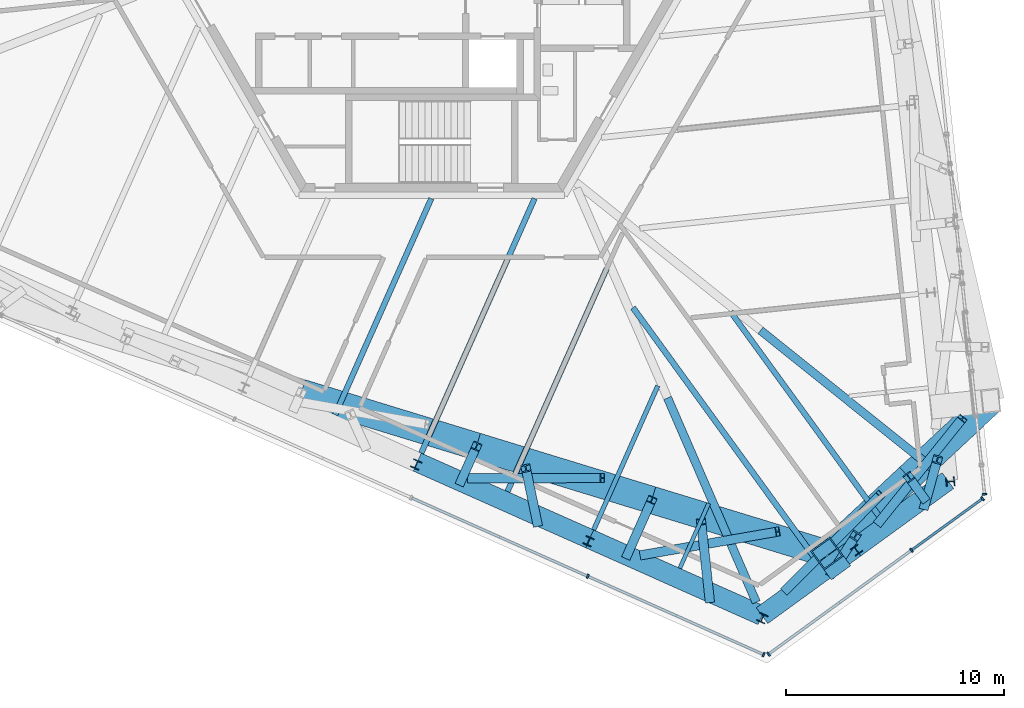
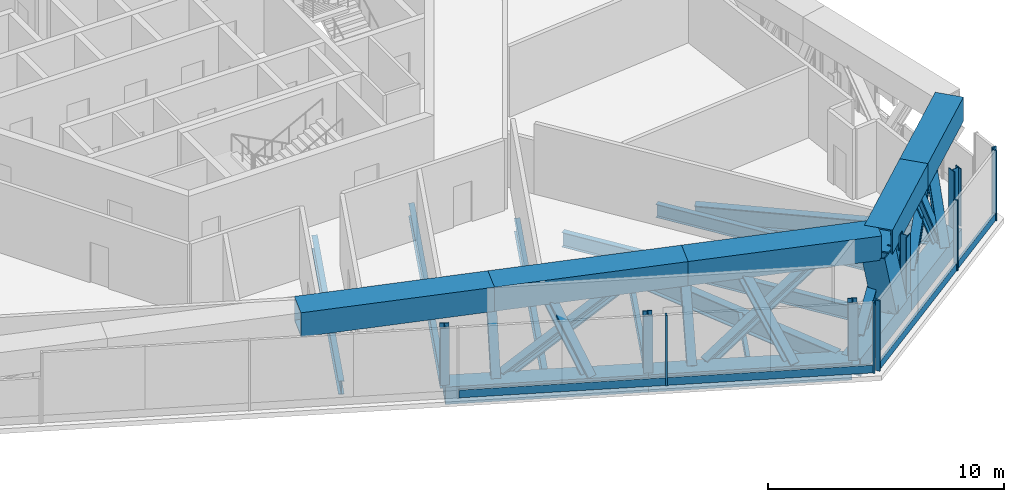
# One storey, part 3 of 30: 36 members, 9 beams, 3 elements without a shape of their own.
"""IFC4 building model written with IfcOpenShell, lengths in metres."""

import ifcopenshell
import ifcopenshell.guid

model = None  # the IFC model being written
_history = None  # IfcOwnerHistory: only IFC2X3 demands one
_inside = {}  # id of a spatial element -> (the spatial element, [elements in it])
_under = {}  # id of a project, library or spatial element -> (it, [spatial elements below it])
_declared = {}  # id of a project -> (the project, [libraries it declares])
_typed = {}  # id of a type object -> (the type object, [elements of that type])
_made_of = {}  # id of a material, layer set ... -> (it, [elements and type objects made of it])


def new_model(schema):
    """Start an empty IFC model of exactly this schema.

    Asked for "IFC4X3", IfcOpenShell would pick the latest addendum, in which some entities
    have other attributes; the version numbers below select the first issue.
    IFC2X3 requires an IfcOwnerHistory on every rooted entity: one is made here for all.
    """
    global model, _history
    if schema == "IFC4X3":
        model = ifcopenshell.file(schema_version=(4, 3, 0, 0))
    else:
        model = ifcopenshell.file(schema=schema)
    _inside.clear()
    _under.clear()
    _declared.clear()
    _typed.clear()
    _made_of.clear()
    _history = None
    if model.schema == "IFC2X3":
        org = make("IfcOrganization", Name="unknown")
        user = make(
            "IfcPersonAndOrganization",
            ThePerson=make("IfcPerson", FamilyName="unknown"),
            TheOrganization=org,
        )
        app = make(
            "IfcApplication",
            ApplicationDeveloper=org,
            Version="unknown",
            ApplicationFullName="unknown",
            ApplicationIdentifier="unknown",
        )
        _history = make(
            "IfcOwnerHistory",
            OwningUser=user,
            OwningApplication=app,
            ChangeAction="ADDED",
            CreationDate=0,
        )
    return model


def make(cls, **values):
    """One entity of the class cls with the attributes given. An attribute that is None is left unset."""
    return model.create_entity(
        cls, **{name: value for name, value in values.items() if value is not None}
    )


def rooted(cls, **values):
    """An entity with a GlobalId (a new one), such as an element, a storey or a relation."""
    return make(cls, GlobalId=ifcopenshell.guid.new(), OwnerHistory=_history, **values)


def si_unit(unit_type, name, prefix=None):
    """IfcSIUnit, for example si_unit("LENGTHUNIT", "METRE", prefix="MILLI")."""
    return make("IfcSIUnit", UnitType=unit_type, Prefix=prefix, Name=name)


def assignment(units):
    """IfcUnitAssignment: the units of a project."""
    return None if units is None else make("IfcUnitAssignment", Units=units)


def point(xyz):
    """IfcCartesianPoint."""
    return None if xyz is None else make("IfcCartesianPoint", Coordinates=xyz)


def direction(xyz):
    """IfcDirection."""
    return None if xyz is None else make("IfcDirection", DirectionRatios=xyz)


def frame(location, z_axis=None, x_axis=None):
    """IfcAxis2Placement3D, a coordinate frame: its origin and axes. An axis left out is left unset."""
    return make(
        "IfcAxis2Placement3D",
        Location=point(location),
        Axis=direction(z_axis),
        RefDirection=direction(x_axis),
    )


def frame_2d(location, x_axis=None):
    """IfcAxis2Placement2D, a coordinate frame in the plane: its origin and x axis."""
    return make(
        "IfcAxis2Placement2D", Location=point(location), RefDirection=direction(x_axis)
    )


def origin():
    """The frame at (0, 0, 0) with its axes left unset."""
    return frame((0.0, 0.0, 0.0))


def origin_2d():
    """The frame at (0, 0) in the plane with its x axis left unset."""
    return frame_2d((0.0, 0.0))


def place(relative_to, where):
    """IfcLocalPlacement: puts the frame where relative to a parent placement (None: the world)."""
    return make(
        "IfcLocalPlacement", PlacementRelTo=relative_to, RelativePlacement=where
    )


def context(
    kind, dimensions, precision=None, world=None, true_north=None, identifier=None
):
    """IfcGeometricRepresentationContext, for example the 3D "Model" context."""
    return make(
        "IfcGeometricRepresentationContext",
        ContextIdentifier=identifier,
        ContextType=kind,
        CoordinateSpaceDimension=dimensions,
        Precision=precision,
        WorldCoordinateSystem=world,
        TrueNorth=true_north,
    )


def subcontext(parent, identifier, kind, view, scale=None):
    """IfcGeometricRepresentationSubContext, for example "Body" below "Model"."""
    return make(
        "IfcGeometricRepresentationSubContext",
        ContextIdentifier=identifier,
        ContextType=kind,
        ParentContext=parent,
        TargetScale=scale,
        TargetView=view,
    )


def project(units=None, contexts=None):
    """IfcProject with its units and contexts."""
    return rooted(
        "IfcProject",
        Name="project",
        RepresentationContexts=contexts,
        UnitsInContext=assignment(units),
    )


def spatial(cls, under=None, at=None, **own):
    """A site, building, storey or space (cls), placed at a placement, below another one or the project."""
    s = rooted(cls, ObjectPlacement=at, **own)
    if under is not None:
        _under.setdefault(under.id(), (under, []))[1].append(s)
    return s


def profile(cls, at=None, kind="AREA", **sizes):
    """A parametric profile (cls). Its sizes go by their IFC names, for example OverallWidth=200.0."""
    return make(cls, ProfileType=kind, Position=at, **sizes)


def rectangle(**sizes):
    """IfcRectangleProfileDef."""
    return profile("IfcRectangleProfileDef", **sizes)


def hollow_rectangle(**sizes):
    """IfcRectangleHollowProfileDef."""
    return profile("IfcRectangleHollowProfileDef", **sizes)


def i_section(**sizes):
    """IfcIShapeProfileDef."""
    return profile("IfcIShapeProfileDef", **sizes)


def extrude(swept, where, along, depth):
    """IfcExtrudedAreaSolid: the profile swept, set in the frame where, extruded along a direction by depth."""
    return make(
        "IfcExtrudedAreaSolid",
        SweptArea=swept,
        Position=where,
        ExtrudedDirection=direction(along),
        Depth=depth,
    )


def shape(context_of_items, identifier, shape_type, items):
    """IfcShapeRepresentation: the items that make up one representation, for example the "Body"."""
    return make(
        "IfcShapeRepresentation",
        ContextOfItems=context_of_items,
        RepresentationIdentifier=identifier,
        RepresentationType=shape_type,
        Items=items,
    )


def source(mapping_origin, context_of_items, identifier, shape_type, items):
    """IfcRepresentationMap: a shape defined once, which mapped items show again and again."""
    return make(
        "IfcRepresentationMap",
        MappingOrigin=mapping_origin,
        MappedRepresentation=shape(context_of_items, identifier, shape_type, items),
    )


def transform(
    local_origin,
    x_axis=None,
    y_axis=None,
    z_axis=None,
    scale=None,
    scale2=None,
    scale3=None,
    uniform=True,
):
    """IfcCartesianTransformationOperator3D, or its non-uniform kind. x_axis, y_axis, z_axis: its Axis1, 2, 3."""
    if uniform:
        return make(
            "IfcCartesianTransformationOperator3D",
            Axis1=direction(x_axis),
            Axis2=direction(y_axis),
            LocalOrigin=point(local_origin),
            Scale=scale,
            Axis3=direction(z_axis),
        )
    return make(
        "IfcCartesianTransformationOperator3DnonUniform",
        Axis1=direction(x_axis),
        Axis2=direction(y_axis),
        LocalOrigin=point(local_origin),
        Scale=scale,
        Axis3=direction(z_axis),
        Scale2=scale2,
        Scale3=scale3,
    )


def mapped(mapping_source, mapping_target):
    """IfcMappedItem: shows the shape of a source again, moved by a transform."""
    return make(
        "IfcMappedItem", MappingSource=mapping_source, MappingTarget=mapping_target
    )


def material(Name=None, Category=None):
    """IfcMaterial."""
    return make("IfcMaterial", Name=Name, Category=Category)


def material_profile(
    of_material, cross_section, Name=None, Category=None, Priority=None
):
    """IfcMaterialProfile: a cross section and its material."""
    return make(
        "IfcMaterialProfile",
        Name=Name,
        Material=of_material,
        Profile=cross_section,
        Priority=Priority,
        Category=Category,
    )


def profile_set(profiles, Name=None, composite=None):
    """IfcMaterialProfileSet."""
    return make(
        "IfcMaterialProfileSet",
        Name=Name,
        MaterialProfiles=profiles,
        CompositeProfile=composite,
    )


def made_of(thing, what):
    """Note that an element or type object is made of a material, layer set ...; save() writes the relation."""
    if what is not None:
        _made_of.setdefault(what.id(), (what, []))[1].append(thing)
    return thing


def type_object(cls, material=None, **own):
    """A type object (cls), such as IfcWallType, which elements share."""
    return made_of(rooted(cls, **own), material)


def element(
    cls,
    number,
    at=None,
    inside=None,
    cuts=None,
    type_object=None,
    material=None,
    context=None,
    identifier="Body",
    shape_type=None,
    held_by="IfcProductDefinitionShape",
    body=None,
    shapes=None,
    **own,
):
    """One element of the class cls, such as IfcWall. Its Tag is "e" and its number.

    at: its placement. inside: the storey or other place that contains it. cuts: it is an
    opening in that element (IfcRelVoidsElement). A single representation is given by context,
    identifier, shape_type and body (its items); several are given by shapes. held_by: the class
    of the entity that holds the representations. save() writes the other relations.
    """
    e = rooted(cls, Tag="e%d" % number, ObjectPlacement=at, **own)
    if body is not None:
        shapes = [shape(context, identifier, shape_type, body)]
    if shapes is not None:
        e.Representation = make(held_by, Representations=shapes)
    if inside is not None:
        _inside.setdefault(inside.id(), (inside, []))[1].append(e)
    if cuts is not None:
        rooted(
            "IfcRelVoidsElement", RelatingBuildingElement=cuts, RelatedOpeningElement=e
        )
    if type_object is not None:
        _typed.setdefault(type_object.id(), (type_object, []))[1].append(e)
    return made_of(e, material)


def aggregate(whole, parts):
    """IfcRelAggregates: a whole, such as a stair, and the parts it consists of."""
    return rooted("IfcRelAggregates", RelatingObject=whole, RelatedObjects=parts)


def save(model, path):
    """Write the relations noted so far, then the file.

    IfcRelAggregates (storeys below a building ...), IfcRelContainedInSpatialStructure (elements
    in a storey), IfcRelDefinesByType, IfcRelAssociatesMaterial and IfcRelDeclares: one each for
    every whole, place, type object, material and project.
    """
    for whole, parts in _under.values():
        aggregate(whole, parts)
    for where, things in _inside.values():
        rooted(
            "IfcRelContainedInSpatialStructure",
            RelatedElements=things,
            RelatingStructure=where,
        )
    for kind, things in _typed.values():
        rooted("IfcRelDefinesByType", RelatedObjects=things, RelatingType=kind)
    for what, things in _made_of.values():
        rooted("IfcRelAssociatesMaterial", RelatedObjects=things, RelatingMaterial=what)
    for by, libraries in _declared.values():
        rooted("IfcRelDeclares", RelatingContext=by, RelatedDefinitions=libraries)
    model.write(path)


model = new_model("IFC4")

# Units and contexts
model_context = context("Model", 3, precision=1e-05, world=origin(), true_north=direction((0.0, 1.0)))
body_context = subcontext(model_context, "Body", "Model", "MODEL_VIEW")
ifc_project = project(units=[si_unit("LENGTHUNIT", "METRE"), si_unit("AREAUNIT", "SQUARE_METRE"), si_unit("VOLUMEUNIT", "CUBIC_METRE"), si_unit("PLANEANGLEUNIT", "RADIAN"), si_unit("MASSUNIT", "GRAM", prefix="KILO")], contexts=[model_context])

# Site, building, storey
site_placement = place(None, origin())
site = spatial("IfcSite", under=ifc_project, at=site_placement, CompositionType="ELEMENT")
building_placement = place(site_placement, origin())
building = spatial("IfcBuilding", under=site, at=building_placement, Name="Triune Harvest Tower", CompositionType="ELEMENT")
storey_placement = place(building_placement, frame((0.0, 0.0, 94.5)))
storey = spatial("IfcBuildingStorey", under=building, at=storey_placement, Name="L23", CompositionType="ELEMENT", Elevation=94.5)

# Beams
ifc_material_1 = material(Name="Steel ASTM A992 Gr 50", Category="steel")
ifc_material_profile_1 = material_profile(ifc_material_1, i_section(OverallWidth=0.383544921875, OverallDepth=0.9423828125, WebThickness=0.022216796875, FlangeThickness=0.039794921875, at=origin_2d()), Name="W36x232")
ifc_profile_set_1 = profile_set([ifc_material_profile_1], Name="Steel ASTM A992 Gr 50")
beam_type_1 = type_object("IfcBeamType", Name="HG-1 Hip girder W36x232", PredefinedType="BEAM", material=ifc_profile_set_1)
beam_1_placement = place(storey_placement, frame((23.19921875, -23.24365234375, -0.72119140625), z_axis=(-0.78034818875, 0.625345268083, 0.0), x_axis=(-0.625345268083, -0.78034818875, 0.0)))
element("IfcBeam", 1, at=beam_1_placement, inside=storey, type_object=beam_type_1, Name="beam/L23/HG1", PredefinedType="BEAM", context=body_context, shape_type="SweptSolid", body=[
    extrude(i_section(OverallWidth=0.383544921875, OverallDepth=0.9423828125, WebThickness=0.022216796875, FlangeThickness=0.039794921875, at=origin_2d()), origin(), (0.0, 0.0, 1.0), 10.390625),
])
beam_2_placement = place(storey_placement, frame((14.89599609375, -29.228271484375, -0.72119140625), z_axis=(-0.39806355685, 0.917357838964, 0.0), x_axis=(-0.917357838964, -0.39806355685, 0.0)))
element("IfcBeam", 2, at=beam_2_placement, inside=storey, type_object=beam_type_1, Name="beam/L23/HG7", PredefinedType="BEAM", context=body_context, shape_type="SweptSolid", body=[
    extrude(i_section(OverallWidth=0.383544921875, OverallDepth=0.9423828125, WebThickness=0.022216796875, FlangeThickness=0.039794921875, at=origin_2d()), origin(), (0.0, 0.0, 1.0), 10.228271484375),
])
ifc_material_2 = material(Name="Steel ASTM A992 Gr 50", Category="steel")
ifc_material_profile_2 = material_profile(ifc_material_2, i_section(OverallWidth=0.253662109375, OverallDepth=0.683349609375, WebThickness=0.012451171875, FlangeThickness=0.01904296875, at=origin_2d()), Name="W27x94")
ifc_profile_set_2 = profile_set([ifc_material_profile_2], Name="Steel ASTM A992 Gr 50")
beam_type_2 = type_object("IfcBeamType", Name="JT-4 Floor joist W27x94", PredefinedType="JOIST", material=ifc_profile_set_2)
beam_3_placement = place(storey_placement, frame((-4.439453125, -20.61962890625, -0.591552734375), z_axis=(0.406747345686, 0.913540692458, 0.0), x_axis=(-0.913540692458, 0.406747345686, 0.0)))
element("IfcBeam", 3, at=beam_3_placement, inside=storey, type_object=beam_type_2, Name="beam/L23/JT33", PredefinedType="JOIST", context=body_context, shape_type="SweptSolid", body=[
    extrude(i_section(OverallWidth=0.253662109375, OverallDepth=0.683349609375, WebThickness=0.012451171875, FlangeThickness=0.01904296875, at=origin_2d()), origin(), (0.0, 0.0, 1.0), 10.86181640625),
])
beam_4_placement = place(storey_placement, frame((20.584716796875, -25.341796875, -0.591552734375), z_axis=(-0.58780127816, 0.809005350658, 0.0), x_axis=(-0.809005350658, -0.58780127816, 0.0)))
element("IfcBeam", 4, at=beam_4_placement, inside=storey, type_object=beam_type_2, Name="beam/L23/JT39", PredefinedType="JOIST", context=body_context, shape_type="SweptSolid", body=[
    extrude(i_section(OverallWidth=0.253662109375, OverallDepth=0.683349609375, WebThickness=0.012451171875, FlangeThickness=0.01904296875, at=origin_2d()), origin(), (0.0, 0.0, 1.0), 11.680419921875),
])
ifc_material_3 = material(Name="Steel ASTM A992 Gr 50", Category="steel")
ifc_material_profile_3 = material_profile(ifc_material_3, i_section(OverallWidth=0.2666015625, OverallDepth=0.7568359375, WebThickness=0.013916015625, FlangeThickness=0.019287109375, at=origin_2d()), Name="W30x108")
ifc_profile_set_3 = profile_set([ifc_material_profile_3], Name="Steel ASTM A992 Gr 50")
beam_type_3 = type_object("IfcBeamType", Name="JT-5 Floor joist W30x108", PredefinedType="JOIST", material=ifc_profile_set_3)
beam_5_placement = place(storey_placement, frame((17.740478515625, -27.408203125, -0.62841796875), z_axis=(-0.587795396085, 0.809009624381, 0.0), x_axis=(-0.809009624381, -0.587795396085, 0.0)))
element("IfcBeam", 5, at=beam_5_placement, inside=storey, type_object=beam_type_3, Name="beam/L23/JT38", PredefinedType="JOIST", context=body_context, shape_type="SweptSolid", body=[
    extrude(i_section(OverallWidth=0.2666015625, OverallDepth=0.7568359375, WebThickness=0.013916015625, FlangeThickness=0.019287109375, at=origin_2d()), origin(), (0.0, 0.0, 1.0), 14.46875),
])

# Members
ifc_material_4 = material(Name="Steel ASTM A992 Gr 50", Category="steel")
ifc_material_profile_4 = material_profile(ifc_material_4, i_section(OverallWidth=0.424072265625, OverallDepth=0.47509765625, WebThickness=0.0478515625, FlangeThickness=0.0771484375, at=origin_2d()), Name="W14x426")
ifc_profile_set_4 = profile_set([ifc_material_profile_4], Name="Steel ASTM A992 Gr 50")
member_type_1 = type_object("IfcMemberType", Name="TD-1 Belt truss diagonal W14x426", PredefinedType="BRACE", material=ifc_profile_set_4)
member_1_placement = place(storey_placement, frame((12.7548828125, -29.095947265625, -0.324951171875), z_axis=(-0.085903938991, 0.788543017073, 0.608950263561), x_axis=(-0.994118330544, -0.10829932999, 0.0)))
element("IfcMember", 6, at=member_1_placement, inside=storey, type_object=member_type_1, Name="truss/L23/TD44", PredefinedType="BRACE", context=body_context, shape_type="SweptSolid", body=[
    extrude(i_section(OverallWidth=0.424072265625, OverallDepth=0.47509765625, WebThickness=0.0478515625, FlangeThickness=0.0771484375, at=origin_2d()), origin(), (0.0, 0.0, 1.0), 4.515869140625),
])
member_2_placement = place(storey_placement, frame((18.356689453125, -27.8876953125, -0.324951171875), z_axis=(0.319666269698, 0.499514287265, 0.805170139061), x_axis=(-0.842288912479, 0.539026333229, 0.0)))
element("IfcMember", 7, at=member_2_placement, inside=storey, type_object=member_type_1, Name="truss/L23/TD46", PredefinedType="BRACE", context=body_context, shape_type="SweptSolid", body=[
    extrude(i_section(OverallWidth=0.424072265625, OverallDepth=0.47509765625, WebThickness=0.0478515625, FlangeThickness=0.0771484375, at=origin_2d()), origin(), (0.0, 0.0, 1.0), 3.41552734375),
])
member_3_placement = place(storey_placement, frame((22.622802734375, -24.7880859375, -0.324951171875), z_axis=(0.165675821918, 0.600253575344, 0.782462246577), x_axis=(-0.963956122281, 0.26606126046, 0.0)))
element("IfcMember", 8, at=member_3_placement, inside=storey, type_object=member_type_1, Name="truss/L23/TD48", PredefinedType="BRACE", context=body_context, shape_type="SweptSolid", body=[
    extrude(i_section(OverallWidth=0.424072265625, OverallDepth=0.47509765625, WebThickness=0.0478515625, FlangeThickness=0.0771484375, at=origin_2d()), origin(), (0.0, 0.0, 1.0), 3.5146484375),
])

# Beams
shared_shape_1 = source(origin(), body_context, "Body", "SweptSolid", [
    extrude(i_section(OverallWidth=0.253662109375, OverallDepth=0.683349609375, WebThickness=0.012451171875, FlangeThickness=0.01904296875, at=origin_2d()), origin(), (0.0, 0.0, 1.0), 12.789794921875),
])
beam_6_placement = place(storey_placement, frame((-0.482666015625, -22.381103515625, -0.591552734375), z_axis=(0.406740555312, 0.913543715793, 0.0), x_axis=(-0.913543715793, 0.406740555312, 0.0)))
element("IfcBeam", 9, at=beam_6_placement, inside=storey, type_object=beam_type_2, Name="beam/L23/JT34", PredefinedType="JOIST", context=body_context, shape_type="MappedRepresentation", body=[
    mapped(shared_shape_1, transform((0.0, 0.0, 0.0), scale=1.0)),
])
ifc_material_5 = material(Name="Steel ASTM A992 Gr 50", Category="steel")
ifc_material_profile_5 = material_profile(ifc_material_5, i_section(OverallWidth=0.2099609375, OverallDepth=0.535888671875, WebThickness=0.010986328125, FlangeThickness=0.017333984375, at=origin_2d()), Name="W21x68")
ifc_profile_set_5 = profile_set([ifc_material_profile_5], Name="Steel ASTM A992 Gr 50")
beam_type_4 = type_object("IfcBeamType", Name="JT-2 Floor joist W21x68", PredefinedType="JOIST", material=ifc_profile_set_5)
shared_shape_2 = source(origin(), body_context, "Body", "SweptSolid", [
    extrude(i_section(OverallWidth=0.2099609375, OverallDepth=0.535888671875, WebThickness=0.010986328125, FlangeThickness=0.017333984375, at=origin_2d()), origin(), (0.0, 0.0, 1.0), 7.23876953125),
])
beam_7_placement = place(storey_placement, frame((7.4306640625, -25.904296875, -0.51806640625), z_axis=(0.406739193204, 0.913544322248, 0.0), x_axis=(-0.913544322248, 0.406739193204, 0.0)))
element("IfcBeam", 10, at=beam_7_placement, inside=storey, type_object=beam_type_4, Name="beam/L23/JT36", PredefinedType="JOIST", context=body_context, shape_type="MappedRepresentation", body=[
    mapped(shared_shape_2, transform((0.0, 0.0, 0.0), scale=1.0)),
])
ifc_material_6 = material(Name="Steel ASTM A992 Gr 50", Category="steel")
ifc_material_profile_6 = material_profile(ifc_material_6, i_section(OverallWidth=0.180908203125, OverallDepth=0.41650390625, WebThickness=0.010986328125, FlangeThickness=0.01806640625, at=origin_2d()), Name="W16x57")
ifc_profile_set_6 = profile_set([ifc_material_profile_6], Name="Steel ASTM A992 Gr 50")
beam_type_5 = type_object("IfcBeamType", Name="JT-1 Floor joist W16x57", PredefinedType="JOIST", material=ifc_profile_set_6)
shared_shape_3 = source(origin(), body_context, "Body", "SweptSolid", [
    extrude(i_section(OverallWidth=0.180908203125, OverallDepth=0.41650390625, WebThickness=0.010986328125, FlangeThickness=0.01806640625, at=origin_2d()), origin(), (0.0, 0.0, 1.0), 3.264404296875),
])
beam_8_placement = place(storey_placement, frame((11.38720703125, -27.666015625, -0.458251953125), z_axis=(0.406769823258, 0.913530684152, 0.0), x_axis=(-0.913530684152, 0.406769823258, 0.0)))
element("IfcBeam", 11, at=beam_8_placement, inside=storey, type_object=beam_type_5, Name="beam/L23/JT37", PredefinedType="JOIST", context=body_context, shape_type="MappedRepresentation", body=[
    mapped(shared_shape_3, transform((0.0, 0.0, 0.0), scale=1.0)),
])
shared_shape_4 = source(origin(), body_context, "Body", "SweptSolid", [
    extrude(i_section(OverallWidth=0.253662109375, OverallDepth=0.683349609375, WebThickness=0.012451171875, FlangeThickness=0.01904296875, at=origin_2d()), origin(), (0.0, 0.0, 1.0), 11.213623046875),
])
beam_9_placement = place(storey_placement, frame((3.473876953125, -24.142822265625, -0.591552734375), z_axis=(0.406740356369, 0.913543804369, 0.0), x_axis=(-0.913543804369, 0.406740356369, 0.0)))
element("IfcBeam", 12, at=beam_9_placement, inside=storey, type_object=beam_type_2, Name="beam/L23/JT35", PredefinedType="JOIST", context=body_context, shape_type="MappedRepresentation", body=[
    mapped(shared_shape_4, transform((0.0, 0.0, 0.0), scale=1.0)),
])

# Members
ifc_material_7 = material(Name="Steel ASTM A992 Gr 50", Category="steel")
ifc_material_profile_7 = material_profile(ifc_material_7, i_section(OverallWidth=0.398681640625, OverallDepth=0.393798828125, WebThickness=0.022705078125, FlangeThickness=0.03662109375, at=origin_2d()), Name="W14x193")
ifc_profile_set_7 = profile_set([ifc_material_profile_7], Name="Steel ASTM A992 Gr 50")
member_type_2 = type_object("IfcMemberType", Name="WP-2 Roof edge post W14x193", PredefinedType="POST", material=ifc_profile_set_7)
shared_shape_5 = source(origin(), body_context, "Body", "SweptSolid", [
    extrude(i_section(OverallWidth=0.398681640625, OverallDepth=0.393798828125, WebThickness=0.022705078125, FlangeThickness=0.03662109375, at=origin_2d()), origin(), (0.0, 0.0, 1.0), 2.9755859375),
])
for number, where, z_axis, x_axis, name in (
    (13, (23.802978515625, -23.6884765625, -0.25), (0.0, 0.0, 1.0), (-0.104526727499, 0.994522077803, 0.0), "post/L23/W0"),
    (14, (-0.714599609375, -22.90185546875, -0.25), (0.0, 0.0, 1.0), (0.913545457643, -0.406736643076, 0.0), "post/L23/W20"),
    (15, (7.19873046875, -26.425048828125, -0.25), (0.0, 0.0, 1.0), (0.913545457643, -0.406736643076, 0.0), "post/L23/W21"),
    (16, (15.17333984375, -29.9580078125, -0.25), (0.0, 0.0, 1.0), (0.913545457643, -0.406736643076, 0.0), "post/L23/W22"),
    (17, (19.49755859375, -26.836181640625, -0.25), (0.0, 0.0, 1.0), (0.809014942612, 0.587788076291, 0.0), "post/L23/W23"),
):
    element("IfcMember", number, at=place(storey_placement, frame(where, z_axis=z_axis, x_axis=x_axis)), inside=storey, type_object=member_type_2, Name=name, PredefinedType="POST", context=body_context, shape_type="MappedRepresentation", body=[
        mapped(shared_shape_5, transform((0.0, 0.0, 0.0), scale=1.0)),
    ])
ifc_material_8 = material(Name="Steel ASTM A572 Gr 50", Category="steel")
ifc_material_profile_8 = material_profile(ifc_material_8, hollow_rectangle(XDim=0.89990234375, YDim=0.89990234375, WallThickness=0.050048828125, at=origin_2d()), Name="Box 900x900x50")
ifc_profile_set_8 = profile_set([ifc_material_profile_8], Name="Steel ASTM A572 Gr 50")
member_type_3 = type_object("IfcMemberType", Name="TC-2 Belt truss chord Box 900x900x50", PredefinedType="CHORD", material=ifc_profile_set_8)
shared_shape_6 = source(origin(), body_context, "Body", "SweptSolid", [
    extrude(hollow_rectangle(XDim=0.89990234375, YDim=0.89990234375, WallThickness=0.050048828125, at=origin_2d()), origin(), (0.0, 0.0, 1.0), 8.662109375),
])
member_4_placement = place(storey_placement, frame((-0.665771484375, -22.792236328125, -0.699951171875), z_axis=(0.913547524684, -0.406732000392, 0.0), x_axis=(0.406732000392, 0.913547524684, 0.0)))
element("IfcMember", 18, at=member_4_placement, inside=storey, type_object=member_type_3, Name="truss/L23/TCB21", PredefinedType="CHORD", context=body_context, shape_type="MappedRepresentation", body=[
    mapped(shared_shape_6, transform((0.0, 0.0, 0.0), scale=1.0)),
])
shared_shape_7 = source(origin(), body_context, "Body", "SweptSolid", [
    extrude(hollow_rectangle(XDim=0.89990234375, YDim=0.89990234375, WallThickness=0.050048828125, at=origin_2d()), origin(), (0.0, 0.0, 1.0), 8.662353515625),
])
member_5_placement = place(storey_placement, frame((7.24755859375, -26.3154296875, -0.699951171875), z_axis=(0.913537051977, -0.406755521986, 0.0), x_axis=(0.406755521986, 0.913537051977, 0.0)))
element("IfcMember", 19, at=member_5_placement, inside=storey, type_object=member_type_3, Name="truss/L23/TCB22", PredefinedType="CHORD", context=body_context, shape_type="MappedRepresentation", body=[
    mapped(shared_shape_7, transform((0.0, 0.0, 0.0), scale=1.0)),
])
shared_shape_8 = source(origin(), body_context, "Body", "SweptSolid", [
    extrude(hollow_rectangle(XDim=0.89990234375, YDim=0.89990234375, WallThickness=0.050048828125, at=origin_2d()), origin(), (0.0, 0.0, 1.0), 5.273193359375),
])
member_6_placement = place(storey_placement, frame((15.160888671875, -29.8388671875, -0.699951171875), z_axis=(0.809008278937, 0.587797247876, 0.0), x_axis=(-0.587797247876, 0.809008278937, 0.0)))
element("IfcMember", 20, at=member_6_placement, inside=storey, type_object=member_type_3, Name="truss/L23/TCB23", PredefinedType="CHORD", context=body_context, shape_type="MappedRepresentation", body=[
    mapped(shared_shape_8, transform((0.0, 0.0, 0.0), scale=1.0)),
])
shared_shape_9 = source(origin(), body_context, "Body", "SweptSolid", [
    extrude(hollow_rectangle(XDim=0.89990234375, YDim=0.89990234375, WallThickness=0.050048828125, at=origin_2d()), origin(), (0.0, 0.0, 1.0), 5.2734375),
])
member_7_placement = place(storey_placement, frame((19.427001953125, -26.7392578125, -0.699951171875), z_axis=(0.809024274198, 0.587775232345, 0.0), x_axis=(-0.587775232345, 0.809024274198, 0.0)))
element("IfcMember", 21, at=member_7_placement, inside=storey, type_object=member_type_3, Name="truss/L23/TCB24", PredefinedType="CHORD", context=body_context, shape_type="MappedRepresentation", body=[
    mapped(shared_shape_9, transform((0.0, 0.0, 0.0), scale=1.0)),
])
ifc_material_9 = material(Name="Steel ASTM A572 Gr 50", Category="steel")
ifc_material_profile_9 = material_profile(ifc_material_9, hollow_rectangle(XDim=1.25, YDim=1.25, WallThickness=0.070068359375, at=origin_2d()), Name="Box 1250x1250x70")
ifc_profile_set_9 = profile_set([ifc_material_profile_9], Name="Steel ASTM A572 Gr 50")
member_type_4 = type_object("IfcMemberType", Name="TC-1 Belt truss chord Box 1250x1250x70", PredefinedType="CHORD", material=ifc_profile_set_9)
shared_shape_10 = source(origin(), body_context, "Body", "SweptSolid", [
    extrude(hollow_rectangle(XDim=1.25, YDim=1.25, WallThickness=0.070068359375, at=origin_2d()), origin(), (0.0, 0.0, 1.0), 8.414306640625),
])
member_8_placement = place(storey_placement, frame((10.098388671875, -24.52978515625, 3.014892578125), z_axis=(0.956301328629, -0.292382914791, 0.0), x_axis=(0.292382914791, 0.956301328629, 0.0)))
element("IfcMember", 22, at=member_8_placement, inside=storey, type_object=member_type_4, Name="truss/L23/TCT22", PredefinedType="CHORD", context=body_context, shape_type="MappedRepresentation", body=[
    mapped(shared_shape_10, transform((0.0, 0.0, 0.0), scale=1.0)),
])
shared_shape_11 = source(origin(), body_context, "Body", "SweptSolid", [
    extrude(hollow_rectangle(XDim=1.25, YDim=1.25, WallThickness=0.070068359375, at=origin_2d()), origin(), (0.0, 0.0, 1.0), 5.13671875),
])
for number, where, z_axis, x_axis, name in (
    (23, (18.14501953125, -26.989990234375, 3.014892578125), (0.731366553751, 0.681984577578, 0.0), (-0.681984577578, 0.731366553751, 0.0), "truss/L23/TCT23"),
    (24, (21.90185546875, -23.48681640625, 3.014892578125), (0.731366553751, 0.681984577578, 0.0), (-0.681984577578, 0.731366553751, 0.0), "truss/L23/TCT24"),
):
    element("IfcMember", number, at=place(storey_placement, frame(where, z_axis=z_axis, x_axis=x_axis)), inside=storey, type_object=member_type_4, Name=name, PredefinedType="CHORD", context=body_context, shape_type="MappedRepresentation", body=[
        mapped(shared_shape_11, transform((0.0, 0.0, 0.0), scale=1.0)),
    ])
shared_shape_12 = source(origin(), body_context, "Body", "SweptSolid", [
    extrude(hollow_rectangle(XDim=1.25, YDim=1.25, WallThickness=0.070068359375, at=origin_2d()), origin(), (0.0, 0.0, 1.0), 8.41455078125),
])
for number, where, z_axis, x_axis, name in (
    (25, (-5.995361328125, -19.609619140625, 3.014892578125), (0.956311920953, -0.292348268068, 0.0), (0.292348268068, 0.956311920953, 0.0), "truss/L23/TCT20"),
    (26, (2.051513671875, -22.069580078125, 3.014892578125), (0.956303808943, -0.292374802267, 0.0), (0.292374802267, 0.956303808943, 0.0), "truss/L23/TCT21"),
):
    element("IfcMember", number, at=place(storey_placement, frame(where, z_axis=z_axis, x_axis=x_axis)), inside=storey, type_object=member_type_4, Name=name, PredefinedType="CHORD", context=body_context, shape_type="MappedRepresentation", body=[
        mapped(shared_shape_12, transform((0.0, 0.0, 0.0), scale=1.0)),
    ])
ifc_material_10 = material(Name="Steel ASTM A992 Gr 50", Category="steel")
ifc_material_profile_10 = material_profile(ifc_material_10, i_section(OverallWidth=0.411376953125, OverallDepth=0.434326171875, WebThickness=0.035888671875, FlangeThickness=0.057373046875, at=origin_2d()), Name="W14x311")
ifc_profile_set_10 = profile_set([ifc_material_profile_10], Name="Steel ASTM A992 Gr 50")
member_type_5 = type_object("IfcMemberType", Name="TV-1 Belt truss strut W14x311", PredefinedType="STRUT", material=ifc_profile_set_10)
shared_shape_13 = source(origin(), body_context, "Body", "SweptSolid", [
    extrude(i_section(OverallWidth=0.411376953125, OverallDepth=0.434326171875, WebThickness=0.035888671875, FlangeThickness=0.057373046875, at=origin_2d()), origin(), (0.0, 0.0, 1.0), 3.225830078125),
])
member_9_placement = place(storey_placement, frame((1.33349609375, -23.682373046875, -0.27490234375), z_axis=(0.222579465801, 0.499952380512, 0.836962363923), x_axis=(-0.913554742491, 0.406715788324, 0.0)))
element("IfcMember", 27, at=member_9_placement, inside=storey, type_object=member_type_5, Name="truss/L23/TS21", PredefinedType="STRUT", context=body_context, shape_type="MappedRepresentation", body=[
    mapped(shared_shape_13, transform((0.0, 0.0, 0.0), scale=1.0)),
])
shared_shape_14 = source(origin(), body_context, "Body", "SweptSolid", [
    extrude(i_section(OverallWidth=0.411376953125, OverallDepth=0.434326171875, WebThickness=0.035888671875, FlangeThickness=0.057373046875, at=origin_2d()), origin(), (0.0, 0.0, 1.0), 3.883056640625),
])
member_10_placement = place(storey_placement, frame((8.963134765625, -27.079345703125, -0.27490234375), z_axis=(0.292354418105, 0.656571438338, 0.695300539747), x_axis=(-0.913529957645, 0.406771454855, 0.0)))
element("IfcMember", 28, at=member_10_placement, inside=storey, type_object=member_type_5, Name="truss/L23/TS22", PredefinedType="STRUT", context=body_context, shape_type="MappedRepresentation", body=[
    mapped(shared_shape_14, transform((0.0, 0.0, 0.0), scale=1.0)),
])
ifc_material_11 = material(Name="Steel ASTM A572 Gr 50", Category="steel")
ifc_material_profile_11 = material_profile(ifc_material_11, hollow_rectangle(XDim=1.10009765625, YDim=1.10009765625, WallThickness=0.06005859375, at=origin_2d()), Name="Box 1100x1100x60")
ifc_profile_set_11 = profile_set([ifc_material_profile_11], Name="Steel ASTM A572 Gr 50")
member_type_6 = type_object("IfcMemberType", Name="TS-1 Belt truss raked strut Box 1100x1100x60", PredefinedType="STRUT", material=ifc_profile_set_11)
shared_shape_15 = source(origin(), body_context, "Body", "SweptSolid", [
    extrude(hollow_rectangle(XDim=1.10009765625, YDim=1.10009765625, WallThickness=0.06005859375, at=origin_2d()), origin(), (0.0, 0.0, 1.0), 2.755615234375),
])
member_11_placement = place(storey_placement, frame((18.46875, -27.435546875, -0.27490234375), z_axis=(-0.11748304765, 0.161694239789, 0.979822793332), x_axis=(-0.80900437032, -0.587802627421, 0.0)))
element("IfcMember", 29, at=member_11_placement, inside=storey, type_object=member_type_6, Name="truss/L23/TS23", PredefinedType="STRUT", context=body_context, shape_type="MappedRepresentation", body=[
    mapped(shared_shape_15, transform((0.0, 0.0, 0.0), scale=1.0)),
])
shared_shape_16 = source(origin(), body_context, "Body", "SweptSolid", [
    extrude(i_section(OverallWidth=0.411376953125, OverallDepth=0.434326171875, WebThickness=0.035888671875, FlangeThickness=0.057373046875, at=origin_2d()), origin(), (0.0, 0.0, 1.0), 2.9453125),
])
member_12_placement = place(storey_placement, frame((22.593505859375, -24.438720703125, -0.27490234375), z_axis=(-0.234839393432, 0.323204657604, 0.916727445098), x_axis=(-0.808996206491, -0.587813863296, 0.0)))
element("IfcMember", 30, at=member_12_placement, inside=storey, type_object=member_type_5, Name="truss/L23/TS24", PredefinedType="STRUT", context=body_context, shape_type="MappedRepresentation", body=[
    mapped(shared_shape_16, transform((0.0, 0.0, 0.0), scale=1.0)),
])
shared_shape_17 = source(origin(), body_context, "Body", "SweptSolid", [
    extrude(i_section(OverallWidth=0.424072265625, OverallDepth=0.47509765625, WebThickness=0.0478515625, FlangeThickness=0.0771484375, at=origin_2d()), origin(), (0.0, 0.0, 1.0), 6.681640625),
])
member_13_placement = place(storey_placement, frame((1.739990234375, -23.53515625, -0.324951171875), z_axis=(0.911377484567, 0.001534613092, 0.411568615891), x_axis=(-0.001683836766, 0.999998582346, 0.0)))
element("IfcMember", 31, at=member_13_placement, inside=storey, type_object=member_type_1, Name="truss/L23/TD41", PredefinedType="BRACE", context=body_context, shape_type="MappedRepresentation", body=[
    mapped(shared_shape_17, transform((0.0, 0.0, 0.0), scale=1.0)),
])
shared_shape_18 = source(origin(), body_context, "Body", "SweptSolid", [
    extrude(i_section(OverallWidth=0.424072265625, OverallDepth=0.47509765625, WebThickness=0.0478515625, FlangeThickness=0.0771484375, at=origin_2d()), origin(), (0.0, 0.0, 1.0), 3.751708984375),
])
member_14_placement = place(storey_placement, frame((4.841796875, -25.57275390625, -0.324951171875), z_axis=(-0.139002295301, 0.665857437041, 0.733015849377), x_axis=(-0.978897562889, -0.204351563168, 0.0)))
element("IfcMember", 32, at=member_14_placement, inside=storey, type_object=member_type_1, Name="truss/L23/TD42", PredefinedType="BRACE", context=body_context, shape_type="MappedRepresentation", body=[
    mapped(shared_shape_18, transform((0.0, 0.0, 0.0), scale=1.0)),
])
shared_shape_19 = source(origin(), body_context, "Body", "SweptSolid", [
    extrude(i_section(OverallWidth=0.424072265625, OverallDepth=0.47509765625, WebThickness=0.0478515625, FlangeThickness=0.0771484375, at=origin_2d()), origin(), (0.0, 0.0, 1.0), 6.8876953125),
])
member_15_placement = place(storey_placement, frame((9.653564453125, -27.058349609375, -0.324951171875), z_axis=(0.903495154482, 0.15582269603, 0.399269073721), x_axis=(-0.169957408814, 0.985451408842, 0.0)))
element("IfcMember", 33, at=member_15_placement, inside=storey, type_object=member_type_1, Name="truss/L23/TD43", PredefinedType="BRACE", context=body_context, shape_type="MappedRepresentation", body=[
    mapped(shared_shape_19, transform((0.0, 0.0, 0.0), scale=1.0)),
])
shared_shape_20 = source(origin(), body_context, "Body", "SweptSolid", [
    extrude(i_section(OverallWidth=0.424072265625, OverallDepth=0.47509765625, WebThickness=0.0478515625, FlangeThickness=0.0771484375, at=origin_2d()), origin(), (0.0, 0.0, 1.0), 6.77880859375),
])
member_16_placement = place(storey_placement, frame((16.231201171875, -28.690185546875, -0.324951171875), z_axis=(0.644249728797, 0.648355524252, 0.405681403465), x_axis=(-0.709349237119, 0.704857191067, 0.0)))
element("IfcMember", 34, at=member_16_placement, inside=storey, type_object=member_type_1, Name="truss/L23/TD45", PredefinedType="BRACE", context=body_context, shape_type="MappedRepresentation", body=[
    mapped(shared_shape_20, transform((0.0, 0.0, 0.0), scale=1.0)),
])
shared_shape_21 = source(origin(), body_context, "Body", "SweptSolid", [
    extrude(i_section(OverallWidth=0.424072265625, OverallDepth=0.47509765625, WebThickness=0.0478515625, FlangeThickness=0.0771484375, at=origin_2d()), origin(), (0.0, 0.0, 1.0), 6.743408203125),
])
member_17_placement = place(storey_placement, frame((20.49755859375, -25.5908203125, -0.324951171875), z_axis=(0.572069235425, 0.711638054016, 0.407808864491), x_axis=(-0.779392755357, 0.626535659717, 0.0)))
element("IfcMember", 35, at=member_17_placement, inside=storey, type_object=member_type_1, Name="truss/L23/TD47", PredefinedType="BRACE", context=body_context, shape_type="MappedRepresentation", body=[
    mapped(shared_shape_21, transform((0.0, 0.0, 0.0), scale=1.0)),
])

# Curtain wall, member
ifc_material_12 = material(Name="Aluminium bronze anodised", Category="aluminium")
curtain_wall_type = type_object("IfcCurtainWallType", Name="CW-5 Plant louvre wall", PredefinedType="NOTDEFINED", material=ifc_material_12)
curtain_wall_1_placement = place(storey_placement, origin())
curtain_wall_1 = element("IfcCurtainWall", 36, at=curtain_wall_1_placement, inside=storey, type_object=curtain_wall_type, Name="CW-5 B2-F1 L23 run 1")
ifc_material_13 = material(Name="Aluminium bronze anodised", Category="aluminium")
ifc_material_profile_12 = material_profile(ifc_material_13, rectangle(XDim=0.199951171875, YDim=0.080078125, at=origin_2d()), Name="MU-5 mullion 80 x 200")
ifc_profile_set_12 = profile_set([ifc_material_profile_12], Name="Aluminium bronze anodised")
member_type_7 = type_object("IfcMemberType", Name="MU-5 mullion 80 x 200", PredefinedType="MULLION", material=ifc_profile_set_12)
shared_shape_22 = source(origin(), body_context, "Body", "SweptSolid", [
    extrude(rectangle(XDim=0.199951171875, YDim=0.080078125, at=origin_2d()), origin(), (0.0, 0.0, 1.0), 3.639892578125),
])
member_18_placement = place(storey_placement, frame((25.373046875, -24.26416015625, 0.0), z_axis=(0.0, 0.0, 1.0), x_axis=(-0.994518439748, -0.104561336073, 0.0)))
member_18 = element("IfcMember", 37, at=member_18_placement, type_object=member_type_7, Name="CW-5 mullion B2-F1 1.1", PredefinedType="MULLION", context=body_context, shape_type="MappedRepresentation", body=[
    mapped(shared_shape_22, transform((0.0, 0.0, 0.0), scale=1.0)),
])
aggregate(curtain_wall_1, [member_18])

# Curtain wall, members
curtain_wall_2_placement = place(storey_placement, origin())
curtain_wall_2 = element("IfcCurtainWall", 38, at=curtain_wall_2_placement, inside=storey, type_object=curtain_wall_type, Name="CW-5 B2-F5 L23 run 1301")
member_19_placement = place(storey_placement, frame((7.162841796875, -28.034912109375, 0.0), z_axis=(0.0, 0.0, 1.0), x_axis=(0.406737270072, 0.913545178485, 0.0)))
member_19 = element("IfcMember", 39, at=member_19_placement, type_object=member_type_7, Name="CW-5 mullion B2-F5 1301.7", PredefinedType="MULLION", context=body_context, shape_type="MappedRepresentation", body=[
    mapped(shared_shape_22, transform((0.0, 0.0, 0.0), scale=1.0)),
])
member_20_placement = place(storey_placement, frame((15.23583984375, -31.62939453125, 0.0), z_axis=(0.0, 0.0, 1.0), x_axis=(0.406737270072, 0.913545178485, 0.0)))
member_20 = element("IfcMember", 40, at=member_20_placement, type_object=member_type_7, Name="CW-5 mullion B2-F5 1301.9", PredefinedType="MULLION", context=body_context, shape_type="MappedRepresentation", body=[
    mapped(shared_shape_22, transform((0.0, 0.0, 0.0), scale=1.0)),
])

curtain_wall_3_placement = place(storey_placement, origin())
curtain_wall_3 = element("IfcCurtainWall", 41, at=curtain_wall_3_placement, inside=storey, type_object=curtain_wall_type, Name="CW-5 B2-F6 L23 run 1")
member_21_placement = place(storey_placement, frame((15.4599609375, -31.605712890625, 0.0), z_axis=(0.0, 0.0, 1.0), x_axis=(-0.58779042564, 0.809013235692, 0.0)))
member_21 = element("IfcMember", 42, at=member_21_placement, type_object=member_type_7, Name="CW-5 mullion B2-F6 1.1", PredefinedType="MULLION", context=body_context, shape_type="MappedRepresentation", body=[
    mapped(shared_shape_22, transform((0.0, 0.0, 0.0), scale=1.0)),
])
member_22_placement = place(storey_placement, frame((22.018310546875, -26.8408203125, 0.0), z_axis=(0.0, 0.0, 1.0), x_axis=(-0.58779042564, 0.809013235692, 0.0)))
member_22 = element("IfcMember", 43, at=member_22_placement, type_object=member_type_7, Name="CW-5 mullion B2-F6 1.3", PredefinedType="MULLION", context=body_context, shape_type="MappedRepresentation", body=[
    mapped(shared_shape_22, transform((0.0, 0.0, 0.0), scale=1.0)),
])
member_23_placement = place(storey_placement, frame((25.281494140625, -24.469970703125, 0.0), z_axis=(0.0, 0.0, 1.0), x_axis=(-0.58779042564, 0.809013235692, 0.0)))
member_23 = element("IfcMember", 44, at=member_23_placement, type_object=member_type_7, Name="CW-5 mullion B2-F6 1.4", PredefinedType="MULLION", context=body_context, shape_type="MappedRepresentation", body=[
    mapped(shared_shape_22, transform((0.0, 0.0, 0.0), scale=1.0)),
])
ifc_material_14 = material(Name="Aluminium bronze anodised", Category="aluminium")
ifc_material_profile_13 = material_profile(ifc_material_14, rectangle(XDim=0.10009765625, YDim=0.39990234375, at=origin_2d()), Name="TR-5 transom 100 x 400")
ifc_profile_set_13 = profile_set([ifc_material_profile_13], Name="Aluminium bronze anodised")
member_type_8 = type_object("IfcMemberType", Name="TR-5 transom 100 x 400", PredefinedType="USERDEFINED", material=ifc_profile_set_13)
shared_shape_23 = source(origin(), body_context, "Body", "SweptSolid", [
    extrude(rectangle(XDim=0.10009765625, YDim=0.39990234375, at=origin_2d()), origin(), (0.0, 0.0, 1.0), 8.02685546875),
])
member_24_placement = place(storey_placement, frame((15.4921875, -31.582275390625, 0.199951171875), z_axis=(0.809021401392, 0.587779186507, 0.0), x_axis=(-0.587779186507, 0.809021401392, 0.0)))
member_24 = element("IfcMember", 45, at=member_24_placement, type_object=member_type_8, Name="CW-5 transom B2-F6 1.1", ObjectType="TRANSOM", PredefinedType="USERDEFINED", context=body_context, shape_type="MappedRepresentation", body=[
    mapped(shared_shape_23, transform((0.0, 0.0, 0.0), scale=1.0)),
])
shared_shape_24 = source(origin(), body_context, "Body", "SweptSolid", [
    extrude(rectangle(XDim=0.10009765625, YDim=0.39990234375, at=origin_2d()), origin(), (0.0, 0.0, 1.0), 3.953369140625),
])
member_25_placement = place(storey_placement, frame((22.05078125, -26.817138671875, 0.199951171875), z_axis=(0.80900839322, 0.587797090585, 0.0), x_axis=(-0.587797090585, 0.80900839322, 0.0)))
member_25 = element("IfcMember", 46, at=member_25_placement, type_object=member_type_8, Name="CW-5 transom B2-F6 1.2", ObjectType="TRANSOM", PredefinedType="USERDEFINED", context=body_context, shape_type="MappedRepresentation", body=[
    mapped(shared_shape_24, transform((0.0, 0.0, 0.0), scale=1.0)),
])
aggregate(curtain_wall_3, [member_21, member_22, member_23, member_24, member_25])

# Member
shared_shape_25 = source(origin(), body_context, "Body", "SweptSolid", [
    extrude(rectangle(XDim=0.10009765625, YDim=0.39990234375, at=origin_2d()), origin(), (0.0, 0.0, 1.0), 8.75732421875),
])
member_26_placement = place(storey_placement, frame((7.19921875, -28.05126953125, 0.199951171875), z_axis=(0.913552696186, -0.406720384652, 0.0), x_axis=(0.406720384652, 0.913552696186, 0.0)))
member_26 = element("IfcMember", 47, at=member_26_placement, type_object=member_type_8, Name="CW-5 transom B2-F5 1301.4", ObjectType="TRANSOM", PredefinedType="USERDEFINED", context=body_context, shape_type="MappedRepresentation", body=[
    mapped(shared_shape_25, transform((0.0, 0.0, 0.0), scale=1.0)),
])

shared_shape_26 = source(origin(), body_context, "Body", "SweptSolid", [
    extrude(rectangle(XDim=0.10009765625, YDim=0.39990234375, at=origin_2d()), origin(), (0.0, 0.0, 1.0), 8.797119140625),
])
member_27_placement = place(storey_placement, frame((-0.910400390625, -24.4404296875, 0.199951171875), z_axis=(0.913545848083, -0.406735766131, 0.0), x_axis=(0.406735766131, 0.913545848083, 0.0)))
member_27 = element("IfcMember", 48, at=member_27_placement, type_object=member_type_8, Name="CW-5 transom B2-F5 1301.3", ObjectType="TRANSOM", PredefinedType="USERDEFINED", context=body_context, shape_type="MappedRepresentation", body=[
    mapped(shared_shape_26, transform((0.0, 0.0, 0.0), scale=1.0)),
])

aggregate(curtain_wall_2, [member_19, member_20, member_27, member_26])

save(model, "model.ifc")
